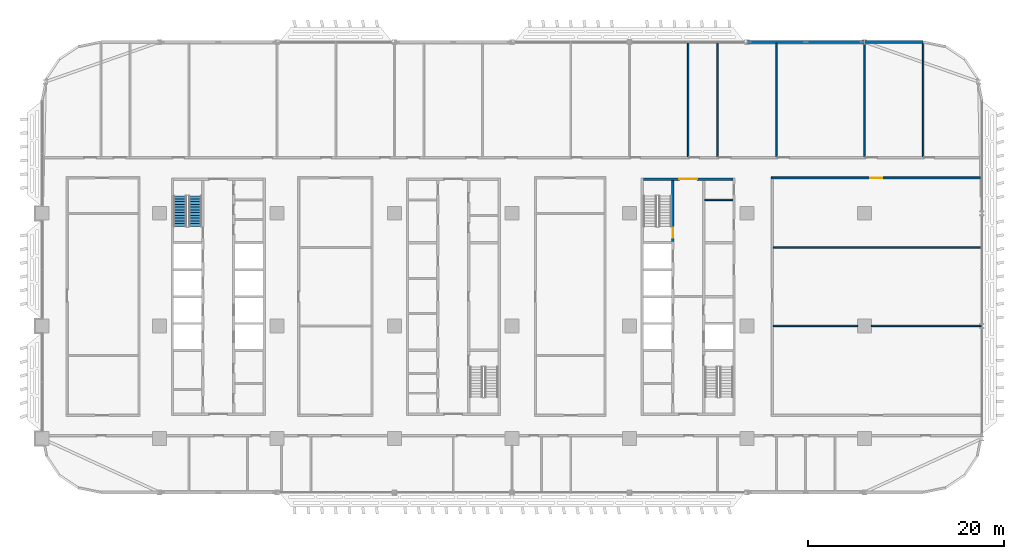
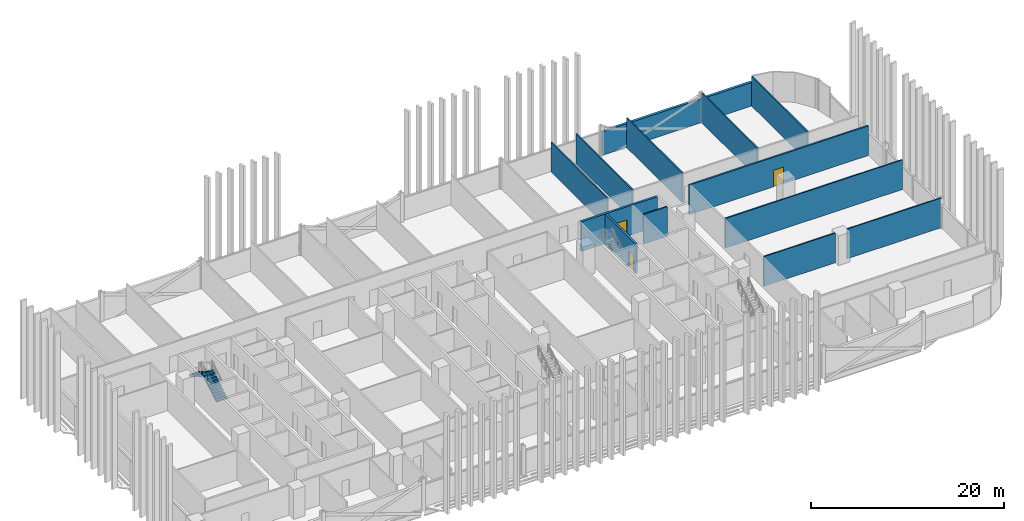
# One storey, part 17 of 31: 14 walls, 3 doors, 2 stair flights, 3 openings, 1 element without a shape of its own.
"""IFC4 building model written with IfcOpenShell, lengths in metres."""

from ifc_helpers import new_model, si_unit, direction, frame, frame_2d, origin, place, context, subcontext, project, spatial, polyline, rectangle, outline, extrude, material, layer, layer_set, type_object, element, fill, aggregate, save


model = new_model("IFC4")

# Units and contexts
model_context = context("Model", 3, precision=1e-05, world=origin(), true_north=direction((0.0, 1.0)))
body_context = subcontext(model_context, "Body", "Model", "MODEL_VIEW")
ifc_project = project(units=[si_unit("LENGTHUNIT", "METRE"), si_unit("AREAUNIT", "SQUARE_METRE"), si_unit("VOLUMEUNIT", "CUBIC_METRE"), si_unit("PLANEANGLEUNIT", "RADIAN"), si_unit("MASSUNIT", "GRAM", prefix="KILO")], contexts=[model_context])

# Site, building, storey
site_placement = place(None, origin())
site = spatial("IfcSite", under=ifc_project, at=site_placement, CompositionType="ELEMENT")
building_placement = place(site_placement, origin())
building = spatial("IfcBuilding", under=site, at=building_placement, Name="Mahtab Terrace Research Tower", CompositionType="ELEMENT")
storey_placement = place(building_placement, frame((0.0, 0.0, 101.199951171875)))
storey = spatial("IfcBuildingStorey", under=building, at=storey_placement, Name="L23", CompositionType="ELEMENT", Elevation=101.199951171875)

# Wall
ifc_material_1 = material(Name="Gypsum board partition")
ifc_layer_1 = layer(ifc_material_1, 0.14990234375)
ifc_layer_set_1 = layer_set([ifc_layer_1], Name="Core partition 150")
wall_type_1 = type_object("IfcWallType", Name="Core partition 150", PredefinedType="PARTITIONING", material=ifc_layer_set_1)
wall_1_placement = place(storey_placement, frame((25.699951171875, 12.875, 0.0), z_axis=(0.0, 0.0, 1.0), x_axis=(1.0, 0.0, 0.0)))
element("IfcWall", 1, at=wall_1_placement, inside=storey, type_object=wall_type_1, Name="Core wall C pEN988", PredefinedType="PARTITIONING", context=body_context, shape_type="SweptSolid", body=[
    extrude(rectangle(XDim=2.85009765625, YDim=0.14990234375, at=frame_2d((1.425048828125, 0.0))), origin(), (0.0, 0.0, 1.0), 3.760009765625),
])

# Wall, opening, door
ifc_material_2 = material(Name="Concrete C70/85", Category="concrete")
ifc_layer_2 = layer(ifc_material_2, 0.25)
ifc_layer_set_2 = layer_set([ifc_layer_2], Name="Core wall 250")
wall_type_2 = type_object("IfcWallType", Name="Core wall 250", PredefinedType="SOLIDWALL", material=ifc_layer_set_2)
wall_2_placement = place(storey_placement, frame((19.449951171875, 15.0, 0.0), z_axis=(0.0, 0.0, 1.0), x_axis=(1.0, 0.0, 0.0)))
wall_2 = element("IfcWall", 2, at=wall_2_placement, inside=storey, type_object=wall_type_2, Name="Core wall C endN", PredefinedType="SOLIDWALL", context=body_context, shape_type="SweptSolid", body=[
    extrude(rectangle(XDim=9.10009765625, YDim=0.25, at=frame_2d((4.550048828125, 0.0))), origin(), (0.0, 0.0, 1.0), 3.760009765625),
])
opening_1_placement = place(wall_2_placement, frame((3.64990234375, 0.0, 0.0)))
opening_1 = element("IfcOpeningElement", 3, at=opening_1_placement, cuts=wall_2, Name="Opening C-N1", PredefinedType="OPENING", context=body_context, shape_type="SweptSolid", body=[
    extrude(rectangle(XDim=1.800048828125, YDim=2.10009765625, at=frame_2d((0.89990234375, 1.050048828125))), frame((0.0, 0.135009765625, 0.0), z_axis=(0.0, -1.0, 0.0), x_axis=(1.0, 0.0, 0.0)), (0.0, 0.0, 1.0), 0.27001953125),
])
ifc_material_3 = material(Name="Steel fire door", Category="steel")
door_type_1 = type_object("IfcDoorType", Name="Lobby double door 1800x2100 1 HR", OperationType="DOUBLE_DOOR_SINGLE_SWING", PredefinedType="DOOR", material=ifc_material_3)
door_1_placement = place(opening_1_placement, origin())
door_1 = element("IfcDoor", 4, at=door_1_placement, inside=storey, type_object=door_type_1, Name="Core entrance door C N", OperationType="DOUBLE_DOOR_SINGLE_SWING", OverallHeight=2.10009765625, OverallWidth=1.800048828125, PredefinedType="DOOR", context=body_context, shape_type="SweptSolid", body=[
    extrude(rectangle(XDim=1.800048828125, YDim=2.10009765625, at=frame_2d((0.89990234375, 1.050048828125))), frame((0.0, 0.02490234375, 0.0), z_axis=(0.0, -1.0, 0.0), x_axis=(1.0, 0.0, 0.0)), (0.0, 0.0, 1.0), 0.050048828125),
])
fill(opening_1, door_1)

wall_3_placement = place(storey_placement, frame((22.425048828125, 14.875, 0.0), z_axis=(0.0, 0.0, 1.0), x_axis=(0.0, -1.0, 0.0)))
wall_3 = element("IfcWall", 5, at=wall_3_placement, inside=storey, type_object=wall_type_2, Name="Core wall C innerWN", PredefinedType="SOLIDWALL", context=body_context, shape_type="SweptSolid", body=[
    extrude(rectangle(XDim=6.25, YDim=0.25, at=frame_2d((3.125, 0.0))), origin(), (0.0, 0.0, 1.0), 3.760009765625),
])
opening_2_placement = place(wall_3_placement, frame((4.85009765625, 0.0, 0.0)))
opening_2 = element("IfcOpeningElement", 6, at=opening_2_placement, cuts=wall_3, Name="Opening C-ST3", PredefinedType="OPENING", context=body_context, shape_type="SweptSolid", body=[
    extrude(rectangle(XDim=1.0, YDim=2.10009765625, at=frame_2d((0.5, 1.050048828125))), frame((0.0, 0.135009765625, 0.0), z_axis=(0.0, -1.0, 0.0), x_axis=(1.0, 0.0, 0.0)), (0.0, 0.0, 1.0), 0.27001953125),
])
door_type_2 = type_object("IfcDoorType", Name="Stair door 1000x2100 1.5 HR", OperationType="NOTDEFINED", PredefinedType="DOOR", material=ifc_material_3)
door_2_placement = place(opening_2_placement, origin())
door_2 = element("IfcDoor", 7, at=door_2_placement, inside=storey, type_object=door_type_2, Name="Stair door ST3 L23", OperationType="SINGLE_SWING_LEFT", OverallHeight=2.10009765625, OverallWidth=1.0, PredefinedType="DOOR", context=body_context, shape_type="SweptSolid", body=[
    extrude(rectangle(XDim=1.0, YDim=2.10009765625, at=frame_2d((0.5, 1.050048828125))), frame((0.0, 0.02490234375, 0.0), z_axis=(0.0, -1.0, 0.0), x_axis=(1.0, 0.0, 0.0)), (0.0, 0.0, 1.0), 0.050048828125),
])
fill(opening_2, door_2)

# Walls
ifc_material_4 = material(Name="Black aluminium cladding panel", Category="aluminium")
ifc_layer_3 = layer(ifc_material_4, 0.300048828125)
ifc_layer_set_3 = layer_set([ifc_layer_3], Name="Opaque facade wall 300")
wall_type_3 = type_object("IfcWallType", Name="Opaque facade wall 300", PredefinedType="NOTDEFINED", material=ifc_layer_set_3)
wall_4_placement = place(storey_placement, frame((48.0, 29.0, 0.0), z_axis=(0.0, 0.0, 1.0), x_axis=(-1.0, 0.0, 0.0)))
element("IfcWall", 8, at=wall_4_placement, inside=storey, type_object=wall_type_3, Name="Opaque facade wall L23 N3", PredefinedType="NOTDEFINED", context=body_context, shape_type="SweptSolid", body=[
    extrude(rectangle(XDim=5.97900390625, YDim=0.300048828125, at=frame_2d((2.989501953125, 0.0))), origin(), (0.0, 0.0, 1.0), 3.003173828125),
])
wall_5_placement = place(storey_placement, frame((41.97900390625, 29.0, 0.0), z_axis=(0.0, 0.0, 1.0), x_axis=(-1.0, 0.0, 0.0)))
element("IfcWall", 9, at=wall_5_placement, inside=storey, type_object=wall_type_3, Name="Opaque facade wall L23 N4", PredefinedType="NOTDEFINED", context=body_context, shape_type="SweptSolid", body=[
    extrude(rectangle(XDim=11.9580078125, YDim=0.300048828125, at=frame_2d((5.97900390625, 0.0))), origin(), (0.0, 0.0, 1.0), 3.003173828125),
])

# Wall, opening, door
ifc_material_5 = material(Name="Gypsum board corridor wall on steel studs", Category="steel")
ifc_layer_4 = layer(ifc_material_5, 0.199951171875)
ifc_layer_set_4 = layer_set([ifc_layer_4], Name="WALL CORRIDOR 200")
wall_type_4 = type_object("IfcWallType", Name="WALL CORRIDOR 200", PredefinedType="PARTITIONING", material=ifc_layer_set_4)
wall_6_placement = place(storey_placement, frame((32.5, 15.125, 0.0), z_axis=(0.0, 0.0, 1.0), x_axis=(1.0, 0.0, 0.0)))
wall_6 = element("IfcWall", 10, at=wall_6_placement, inside=storey, type_object=wall_type_4, Name="L23-W025", PredefinedType="PARTITIONING", context=body_context, shape_type="SweptSolid", body=[
    extrude(rectangle(XDim=21.47509765625, YDim=0.199951171875, at=frame_2d((10.737548828125, 0.0))), origin(), (0.0, 0.0, 1.0), 3.760009765625),
])
opening_3_placement = place(wall_6_placement, frame((10.10009765625, 0.0, 0.0)))
opening_3 = element("IfcOpeningElement", 11, at=opening_3_placement, cuts=wall_6, Name="Opening L23-123", PredefinedType="OPENING", context=body_context, shape_type="SweptSolid", body=[
    extrude(rectangle(XDim=1.199951171875, YDim=2.10009765625, at=frame_2d((0.60009765625, 1.050048828125))), frame((0.0, 0.10986328125, 0.0), z_axis=(0.0, -1.0, 0.0), x_axis=(1.0, 0.0, 0.0)), (0.0, 0.0, 1.0), 0.219970703125),
])
ifc_material_6 = material(Name="Timber door leaf in steel frame", Category="steel")
door_type_3 = type_object("IfcDoorType", Name="DOOR 1200X2100 FD30S", OperationType="SINGLE_SWING_LEFT", PredefinedType="DOOR", material=ifc_material_6)
door_3_placement = place(opening_3_placement, origin())
door_3 = element("IfcDoor", 12, at=door_3_placement, inside=storey, type_object=door_type_3, Name="Door L23-123", OperationType="SINGLE_SWING_LEFT", OverallHeight=2.10009765625, OverallWidth=1.199951171875, PredefinedType="DOOR", context=body_context, shape_type="SweptSolid", body=[
    extrude(rectangle(XDim=1.199951171875, YDim=2.10009765625, at=frame_2d((0.60009765625, 1.050048828125))), frame((0.0, 0.02490234375, 0.0), z_axis=(0.0, -1.0, 0.0), x_axis=(1.0, 0.0, 0.0)), (0.0, 0.0, 1.0), 0.050048828125),
])
fill(opening_3, door_3)

# Walls
ifc_material_7 = material(Name="Gypsum board partition on steel studs", Category="steel")
ifc_layer_5 = layer(ifc_material_7, 0.14990234375)
ifc_layer_set_5 = layer_set([ifc_layer_5], Name="WALL PARTITION 150")
wall_type_5 = type_object("IfcWallType", Name="WALL PARTITION 150", PredefinedType="PARTITIONING", material=ifc_layer_set_5)
wall_7_placement = place(storey_placement, frame((32.699951171875, 0.0, 0.0), z_axis=(0.0, 0.0, 1.0), x_axis=(1.0, 0.0, 0.0)))
element("IfcWall", 13, at=wall_7_placement, inside=storey, type_object=wall_type_5, Name="L23-W016", PredefinedType="PARTITIONING", context=body_context, shape_type="SweptSolid", body=[
    extrude(rectangle(XDim=8.60009765625, YDim=0.14990234375, at=frame_2d((4.300048828125, 0.0))), origin(), (0.0, 0.0, 1.0), 3.760009765625),
])
wall_8_placement = place(storey_placement, frame((42.699951171875, 0.0, 0.0), z_axis=(0.0, 0.0, 1.0), x_axis=(1.0, 0.0, 0.0)))
element("IfcWall", 14, at=wall_8_placement, inside=storey, type_object=wall_type_5, Name="L23-W017", PredefinedType="PARTITIONING", context=body_context, shape_type="SweptSolid", body=[
    extrude(rectangle(XDim=11.275146484375, YDim=0.14990234375, at=frame_2d((5.6376953125, 0.0))), origin(), (0.0, 0.0, 1.0), 3.760009765625),
])
wall_9_placement = place(storey_placement, frame((32.699951171875, 8.0, 0.0), z_axis=(0.0, 0.0, 1.0), x_axis=(1.0, 0.0, 0.0)))
element("IfcWall", 15, at=wall_9_placement, inside=storey, type_object=wall_type_5, Name="L23-W019", PredefinedType="PARTITIONING", context=body_context, shape_type="SweptSolid", body=[
    extrude(rectangle(XDim=21.275146484375, YDim=0.14990234375, at=frame_2d((10.6376953125, 0.0))), origin(), (0.0, 0.0, 1.0), 3.760009765625),
])
for number, where, z_axis, x_axis, name in (
    (16, (24.0, 17.300048828125, 0.0), (0.0, 0.0, 1.0), (0.0, 1.0, 0.0), "L23-W051"),
    (17, (27.0, 17.300048828125, 0.0), (0.0, 0.0, 1.0), (0.0, 1.0, 0.0), "L23-W053"),
):
    element("IfcWall", number, at=place(storey_placement, frame(where, z_axis=z_axis, x_axis=x_axis)), inside=storey, type_object=wall_type_5, Name=name, PredefinedType="PARTITIONING", context=body_context, shape_type="SweptSolid", body=[
        extrude(rectangle(XDim=11.675048828125, YDim=0.14990234375, at=frame_2d((5.83740234375, 0.0))), origin(), (0.0, 0.0, 1.0), 3.760009765625),
    ])
for number, where, z_axis, x_axis, name in (
    (18, (33.0, 17.300048828125, 0.0), (0.0, 0.0, 1.0), (0.0, 1.0, 0.0), "L23-W056"),
    (19, (42.0, 17.300048828125, 0.0), (0.0, 0.0, 1.0), (0.0, 1.0, 0.0), "L23-W059"),
):
    element("IfcWall", number, at=place(storey_placement, frame(where, z_axis=z_axis, x_axis=x_axis)), inside=storey, type_object=wall_type_5, Name=name, PredefinedType="PARTITIONING", context=body_context, shape_type="SweptSolid", body=[
        extrude(rectangle(XDim=11.550048828125, YDim=0.14990234375, at=frame_2d((5.77490234375, 0.0))), origin(), (0.0, 0.0, 1.0), 3.760009765625),
    ])
wall_10_placement = place(storey_placement, frame((48.0, 17.300048828125, 0.0), z_axis=(0.0, 0.0, 1.0), x_axis=(0.0, 1.0, 0.0)))
element("IfcWall", 20, at=wall_10_placement, inside=storey, type_object=wall_type_5, Name="L23-W060", PredefinedType="PARTITIONING", context=body_context, shape_type="SweptSolid", body=[
    extrude(rectangle(XDim=11.547119140625, YDim=0.14990234375, at=frame_2d((5.7734375, 0.0))), origin(), (0.0, 0.0, 1.0), 3.760009765625),
])

# Stair, stair flights
ifc_material_8 = material(Name="Exit stair half-turn")
stair_type = type_object("IfcStairType", Name="Exit stair half-turn", PredefinedType="HALF_TURN_STAIR", material=ifc_material_8)
stair_placement = place(storey_placement, origin())
stair = element("IfcStair", 21, at=stair_placement, inside=storey, type_object=stair_type, Name="L23 Protected exit stair ST1", PredefinedType="HALF_TURN_STAIR")
ifc_material_9 = material(Name="Concrete C40/50", Category="concrete")
stair_flight_type = type_object("IfcStairFlightType", Name="Exit stair flight 1300", PredefinedType="STRAIGHT", material=ifc_material_9)
stair_flight_1_placement = place(storey_placement, frame((-26.35009765625, 10.175048828125, 0.0), z_axis=(0.0, 0.0, 1.0), x_axis=(0.0, 1.0, 0.0)))
stair_flight_1 = element("IfcStairFlight", 22, at=stair_flight_1_placement, type_object=stair_flight_type, Name="ST1 flight 1", NumberOfRisers=12, NumberOfTreads=11, PredefinedType="STRAIGHT", RiserHeight=0.170833333, TreadLength=0.28, context=body_context, shape_type="SweptSolid", body=[
    extrude(outline(polyline([(0.0, 0.0), (0.0, 0.1708984375), (0.280029296875, 0.1708984375), (0.280029296875, 0.341552734375), (0.56005859375, 0.341552734375), (0.56005859375, 0.512451171875), (0.840087890625, 0.512451171875), (0.840087890625, 0.683349609375), (1.1201171875, 0.683349609375), (1.1201171875, 0.854248046875), (1.39990234375, 0.854248046875), (1.39990234375, 1.02490234375), (1.679931640625, 1.02490234375), (1.679931640625, 1.19580078125), (1.9599609375, 1.19580078125), (1.9599609375, 1.36669921875), (2.239990234375, 1.36669921875), (2.239990234375, 1.53759765625), (2.52001953125, 1.53759765625), (2.52001953125, 1.708251953125), (2.800048828125, 1.708251953125), (2.800048828125, 1.879150390625), (3.080078125, 1.879150390625), (3.080078125, 2.050048828125), (3.080078125, 1.70361328125), (0.287841796875, 0.0), (0.0, 0.0)])), frame((0.0, 0.64990234375, 0.0), z_axis=(0.0, -1.0, 0.0), x_axis=(1.0, 0.0, 0.0)), (0.0, 0.0, 1.0), 1.300048828125),
])
stair_flight_2_placement = place(storey_placement, frame((-27.89990234375, 13.2548828125, 2.050048828125), z_axis=(0.0, 0.0, 1.0), x_axis=(0.0, -1.0, 0.0)))
stair_flight_2 = element("IfcStairFlight", 23, at=stair_flight_2_placement, type_object=stair_flight_type, Name="ST1 flight 2", NumberOfRisers=12, NumberOfTreads=11, PredefinedType="STRAIGHT", RiserHeight=0.170833333, TreadLength=0.28, context=body_context, shape_type="SweptSolid", body=[
    extrude(outline(polyline([(0.0, 0.0), (0.0, 0.1708984375), (0.280029296875, 0.1708984375), (0.280029296875, 0.341552734375), (0.56005859375, 0.341552734375), (0.56005859375, 0.512451171875), (0.840087890625, 0.512451171875), (0.840087890625, 0.683349609375), (1.1201171875, 0.683349609375), (1.1201171875, 0.854248046875), (1.39990234375, 0.854248046875), (1.39990234375, 1.02490234375), (1.679931640625, 1.02490234375), (1.679931640625, 1.19580078125), (1.9599609375, 1.19580078125), (1.9599609375, 1.36669921875), (2.239990234375, 1.36669921875), (2.239990234375, 1.53759765625), (2.52001953125, 1.53759765625), (2.52001953125, 1.708251953125), (2.800048828125, 1.708251953125), (2.800048828125, 1.879150390625), (3.080078125, 1.879150390625), (3.080078125, 2.050048828125), (3.080078125, 1.70361328125), (0.287841796875, 0.0), (0.0, 0.0)])), frame((0.0, 0.64990234375, 0.0), z_axis=(0.0, -1.0, 0.0), x_axis=(1.0, 0.0, 0.0)), (0.0, 0.0, 1.0), 1.300048828125),
])
aggregate(stair, [stair_flight_1, stair_flight_2])

save(model, "model.ifc")
